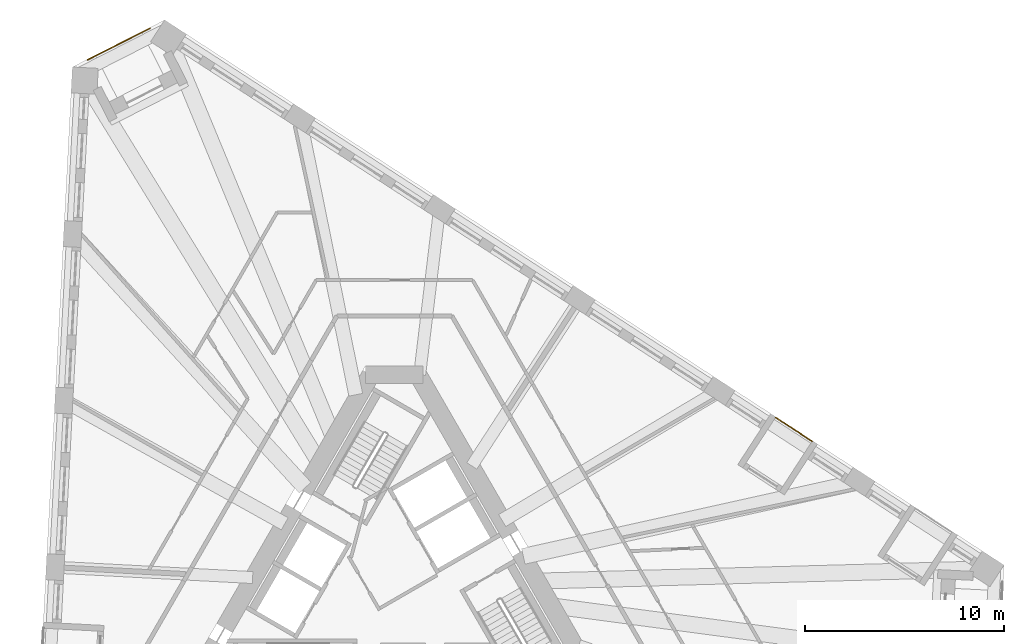
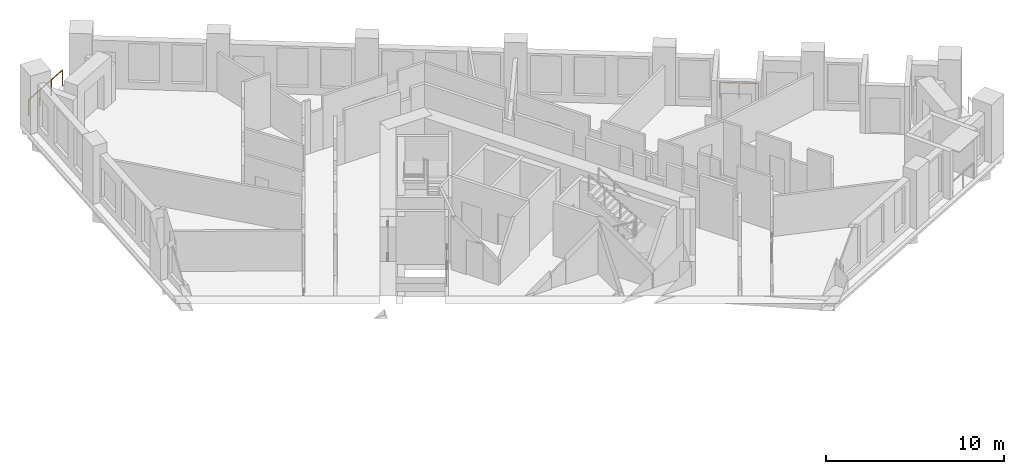
# One storey, part 12 of 12: 2 railings.
"""IFC4 building model written with IfcOpenShell, lengths in metres."""

from ifc_helpers import new_model, si_unit, direction, frame, origin, origin_2d, place, context, subcontext, project, spatial, circle, extrude, material, type_object, element, save


model = new_model("IFC4")

# Units and contexts
model_context = context("Model", 3, precision=1e-05, world=origin(), true_north=direction((0.0, 1.0)))
body_context = subcontext(model_context, "Body", "Model", "MODEL_VIEW")
ifc_project = project(units=[si_unit("LENGTHUNIT", "METRE"), si_unit("AREAUNIT", "SQUARE_METRE"), si_unit("VOLUMEUNIT", "CUBIC_METRE"), si_unit("PLANEANGLEUNIT", "RADIAN"), si_unit("MASSUNIT", "GRAM", prefix="KILO")], contexts=[model_context])

# Site, building, storey
site_placement = place(None, origin())
site = spatial("IfcSite", under=ifc_project, at=site_placement, CompositionType="ELEMENT")
building_placement = place(site_placement, origin())
building = spatial("IfcBuilding", under=site, at=building_placement, Name="Tramontana Tower", CompositionType="ELEMENT")
storey_placement = place(building_placement, frame((0.0, 0.0, 133.60009765625)))
storey = spatial("IfcBuildingStorey", under=building, at=storey_placement, Name="L30", CompositionType="ELEMENT", Elevation=133.60009765625)

# Railings
ifc_material = material(Name="Laminated glass balustrade", Category="glass")
railing_type = type_object("IfcRailingType", Name="GD1 Loggia glass balustrade 1100", PredefinedType="BALUSTRADE", material=ifc_material)
railing_1_placement = place(storey_placement, frame((20.96484375, 7.2158203125, 0.0)))
element("IfcRailing", 1, at=railing_1_placement, inside=storey, type_object=railing_type, Name="Loggia balustrade L30 G3S2.4", PredefinedType="BALUSTRADE", context=body_context, shape_type="SweptSolid", body=[
    extrude(circle(Radius=0.02392578125, at=origin_2d()), frame((0.0, 0.0, 1.076171875), z_axis=(-0.838659986147, 0.544655329209, 0.0), x_axis=(-0.544655329209, -0.838659986147, 0.0)), (0.0, 0.0, 1.0), 2.190673828125),
    extrude(circle(Radius=0.02099609375, at=origin_2d()), origin(), (0.0, 0.0, 1.0), 1.052001953125),
    extrude(circle(Radius=0.02099609375, at=origin_2d()), frame((-0.91845703125, 0.5966796875, 0.0)), (0.0, 0.0, 1.0), 1.052001953125),
    extrude(circle(Radius=0.02099609375, at=origin_2d()), frame((-1.837158203125, 1.193115234375, 0.0)), (0.0, 0.0, 1.0), 1.052001953125),
])
railing_2_placement = place(storey_placement, frame((-15.392333984375, 26.3544921875, 0.0)))
element("IfcRailing", 2, at=railing_2_placement, inside=storey, type_object=railing_type, Name="Corner loggia balustrade L30 K30", PredefinedType="BALUSTRADE", context=body_context, shape_type="SweptSolid", body=[
    extrude(circle(Radius=0.02392578125, at=origin_2d()), frame((0.0, 0.0, 1.076171875), z_axis=(0.891011280655, 0.453981164527, 0.0), x_axis=(-0.453981164527, 0.891011280655, 0.0)), (0.0, 0.0, 1.0), 3.499755859375),
    extrude(circle(Radius=0.02099609375, at=origin_2d()), origin(), (0.0, 0.0, 1.0), 1.052001953125),
    extrude(circle(Radius=0.02099609375, at=origin_2d()), frame((1.03955078125, 0.529541015625, 0.0)), (0.0, 0.0, 1.0), 1.052001953125),
    extrude(circle(Radius=0.02099609375, at=origin_2d()), frame((2.078857421875, 1.059326171875, 0.0)), (0.0, 0.0, 1.0), 1.052001953125),
    extrude(circle(Radius=0.02099609375, at=origin_2d()), frame((3.118408203125, 1.5888671875, 0.0)), (0.0, 0.0, 1.0), 1.052001953125),
])

save(model, "model.ifc")
